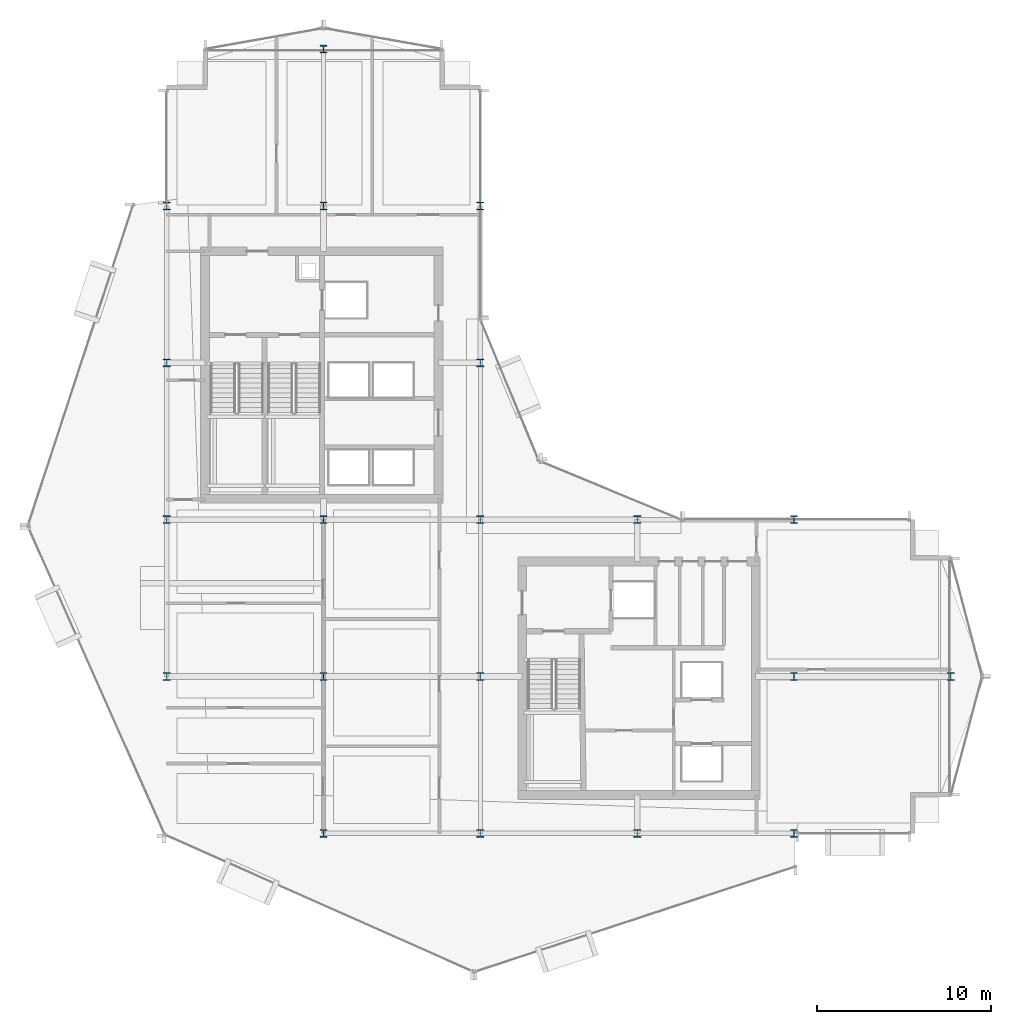
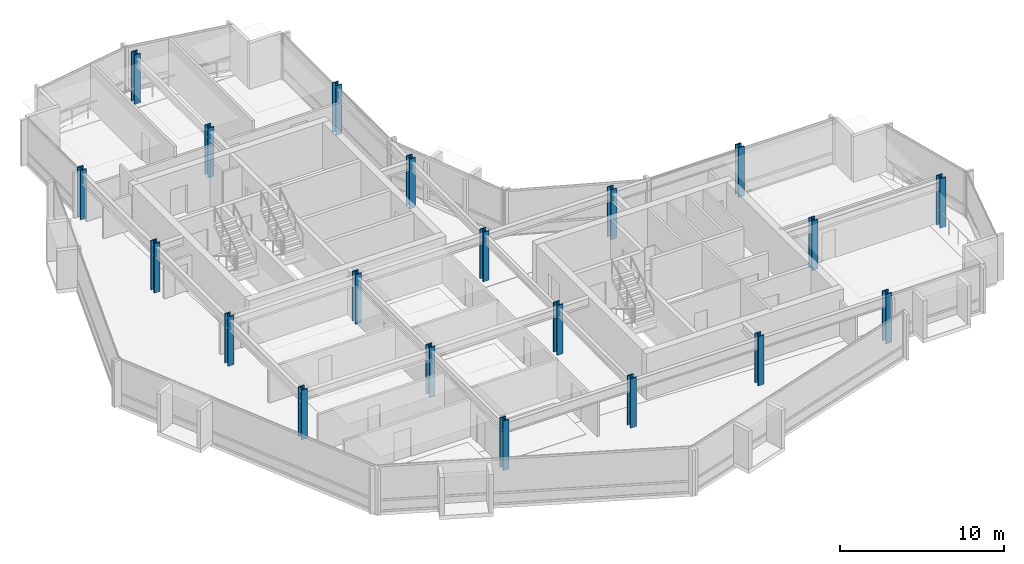
# One storey, part 1 of 28: 20 columns.
"""IFC4 building model written with IfcOpenShell, lengths in metres."""

from ifc_helpers import new_model, si_unit, direction, frame, origin, origin_2d, place, context, subcontext, project, spatial, i_section, extrude, material, material_profile, profile_set, type_object, element, save


model = new_model("IFC4")

# Units and contexts
model_context = context("Model", 3, precision=1e-05, world=origin(), true_north=direction((0.0, 1.0)))
body_context = subcontext(model_context, "Body", "Model", "MODEL_VIEW")
ifc_project = project(units=[si_unit("LENGTHUNIT", "METRE"), si_unit("AREAUNIT", "SQUARE_METRE"), si_unit("VOLUMEUNIT", "CUBIC_METRE"), si_unit("PLANEANGLEUNIT", "RADIAN"), si_unit("MASSUNIT", "GRAM", prefix="KILO")], contexts=[model_context])

# Site, building, storey
site_placement = place(None, origin())
site = spatial("IfcSite", under=ifc_project, at=site_placement, CompositionType="ELEMENT")
building_placement = place(site_placement, origin())
building = spatial("IfcBuilding", under=site, at=building_placement, Name="Solvaryn Broadcast Tower", CompositionType="ELEMENT")
storey_placement = place(building_placement, frame((0.0, 0.0, 132.199951171875)))
storey = spatial("IfcBuildingStorey", under=building, at=storey_placement, Name="L32", CompositionType="ELEMENT", Elevation=132.199951171875)

# Columns
ifc_material_1 = material(Name="Steel ASTM A913 Grade 65", Category="steel")
ifc_material_profile_1 = material_profile(ifc_material_1, i_section(OverallWidth=0.41796875, OverallDepth=0.455078125, WebThickness=0.0419921875, FlangeThickness=0.067626953125, FilletRadius=0.014892578125, at=origin_2d()))
ifc_profile_set_1 = profile_set([ifc_material_profile_1], Name="Steel ASTM A913 Grade 65")
column_type_1 = type_object("IfcColumnType", Name="COL-C05E-W14X370", PredefinedType="COLUMN", material=ifc_profile_set_1)
for number, where, z_axis, x_axis, name in (
    (1, (9.0, 18.0, 0.0), (0.0, 0.0, 1.0), (1.0, 0.0, 0.0), "L32 Column (9.0, 18.0)"),
    (2, (9.0, 27.0, 0.0), (0.0, 0.0, 1.0), (1.0, 0.0, 0.0), "L32 Column (9.0, 27.0)"),
    (3, (9.0, 36.0, 0.0), (0.0, 0.0, 1.0), (1.0, 0.0, 0.0), "L32 Column (9.0, 36.0)"),
    (4, (9.0, 45.0, 0.0), (0.0, 0.0, 1.0), (1.0, 0.0, 0.0), "L32 Column (9.0, 45.0)"),
    (5, (18.0, 9.0, 0.0), (0.0, 0.0, 1.0), (1.0, 0.0, 0.0), "L32 Column (18.0, 9.0)"),
    (6, (18.0, 54.0, 0.0), (0.0, 0.0, 1.0), (1.0, 0.0, 0.0), "L32 Column (18.0, 54.0)"),
    (7, (27.0, 9.0, 0.0), (0.0, 0.0, 1.0), (1.0, 0.0, 0.0), "L32 Column (27.0, 9.0)"),
    (8, (27.0, 36.0, 0.0), (0.0, 0.0, 1.0), (1.0, 0.0, 0.0), "L32 Column (27.0, 36.0)"),
    (9, (27.0, 45.0, 0.0), (0.0, 0.0, 1.0), (1.0, 0.0, 0.0), "L32 Column (27.0, 45.0)"),
    (10, (36.0, 9.0, 0.0), (0.0, 0.0, 1.0), (1.0, 0.0, 0.0), "L32 Column (36.0, 9.0)"),
    (11, (36.0, 27.0, 0.0), (0.0, 0.0, 1.0), (1.0, 0.0, 0.0), "L32 Column (36.0, 27.0)"),
    (12, (45.0, 9.0, 0.0), (0.0, 0.0, 1.0), (1.0, 0.0, 0.0), "L32 Column (45.0, 9.0)"),
    (13, (45.0, 27.0, 0.0), (0.0, 0.0, 1.0), (1.0, 0.0, 0.0), "L32 Column (45.0, 27.0)"),
    (14, (54.0, 18.0, 0.0), (0.0, 0.0, 1.0), (1.0, 0.0, 0.0), "L32 Column (54.0, 18.0)"),
):
    element("IfcColumn", number, at=place(storey_placement, frame(where, z_axis=z_axis, x_axis=x_axis)), inside=storey, type_object=column_type_1, Name=name, PredefinedType="COLUMN", context=body_context, shape_type="SweptSolid", body=[
        extrude(i_section(OverallWidth=0.41796875, OverallDepth=0.455078125, WebThickness=0.0419921875, FlangeThickness=0.067626953125, FilletRadius=0.014892578125, at=origin_2d()), origin(), (0.0, 0.0, 1.0), 3.699951171875),
    ])
ifc_material_2 = material(Name="Steel ASTM A913 Grade 65", Category="steel")
ifc_material_profile_2 = material_profile(ifc_material_2, i_section(OverallWidth=0.41796875, OverallDepth=0.455078125, WebThickness=0.0419921875, FlangeThickness=0.067626953125, FilletRadius=0.014892578125, at=origin_2d()))
ifc_profile_set_2 = profile_set([ifc_material_profile_2], Name="Steel ASTM A913 Grade 65")
column_type_2 = type_object("IfcColumnType", Name="COL-C05I-W14X370", PredefinedType="COLUMN", material=ifc_profile_set_2)
for number, where, z_axis, x_axis, name in (
    (15, (18.0, 18.0, 0.0), (0.0, 0.0, 1.0), (1.0, 0.0, 0.0), "L32 Column (18.0, 18.0)"),
    (16, (18.0, 27.0, 0.0), (0.0, 0.0, 1.0), (1.0, 0.0, 0.0), "L32 Column (18.0, 27.0)"),
    (17, (18.0, 45.0, 0.0), (0.0, 0.0, 1.0), (1.0, 0.0, 0.0), "L32 Column (18.0, 45.0)"),
    (18, (27.0, 18.0, 0.0), (0.0, 0.0, 1.0), (1.0, 0.0, 0.0), "L32 Column (27.0, 18.0)"),
    (19, (27.0, 27.0, 0.0), (0.0, 0.0, 1.0), (1.0, 0.0, 0.0), "L32 Column (27.0, 27.0)"),
    (20, (45.0, 18.0, 0.0), (0.0, 0.0, 1.0), (1.0, 0.0, 0.0), "L32 Column (45.0, 18.0)"),
):
    element("IfcColumn", number, at=place(storey_placement, frame(where, z_axis=z_axis, x_axis=x_axis)), inside=storey, type_object=column_type_2, Name=name, PredefinedType="COLUMN", context=body_context, shape_type="SweptSolid", body=[
        extrude(i_section(OverallWidth=0.41796875, OverallDepth=0.455078125, WebThickness=0.0419921875, FlangeThickness=0.067626953125, FilletRadius=0.014892578125, at=origin_2d()), origin(), (0.0, 0.0, 1.0), 3.699951171875),
    ])

save(model, "model.ifc")
